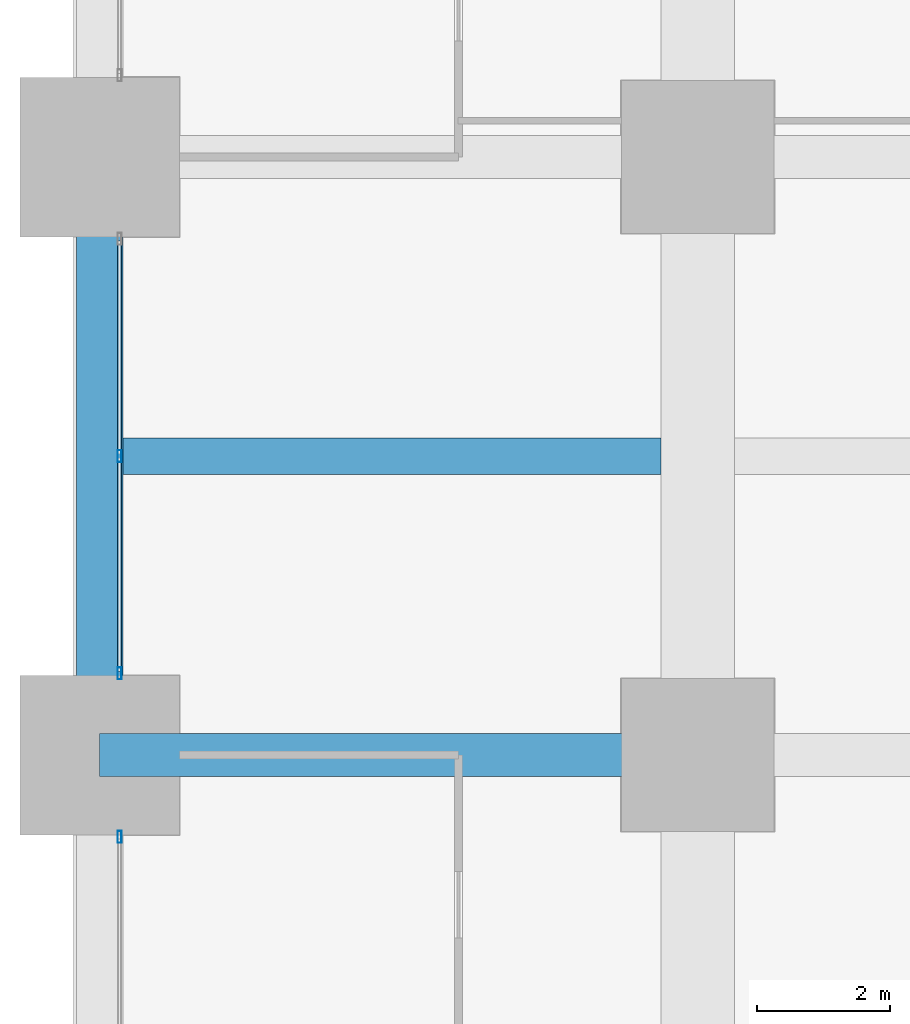
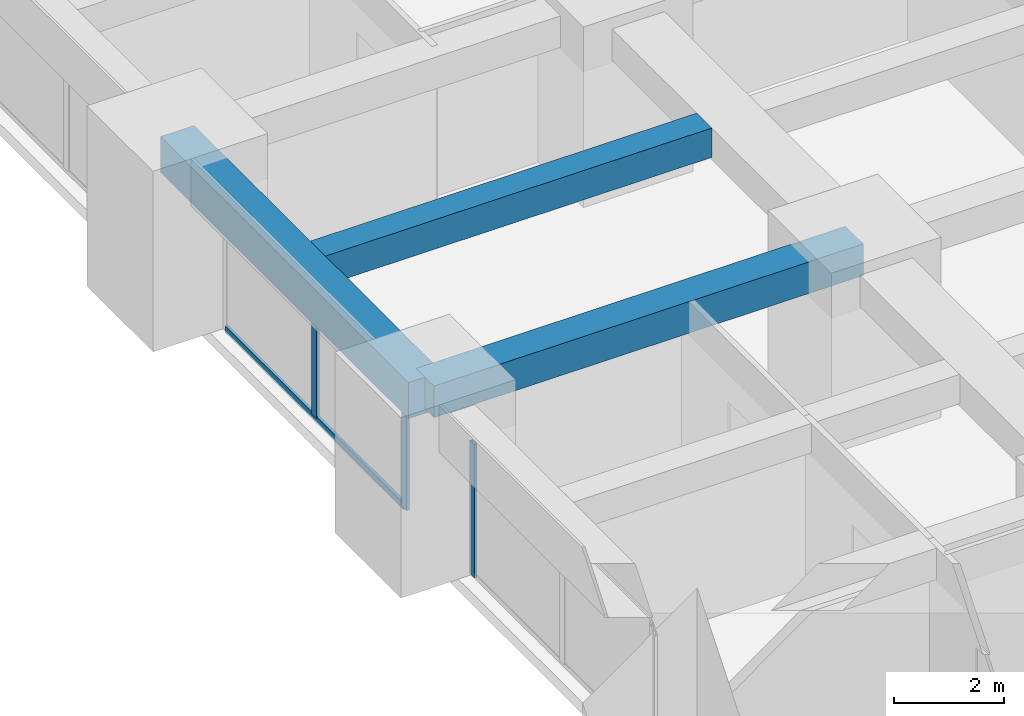
# One storey, part 11 of 44: 4 members, 3 beams, 2 elements without a shape of their own.
"""IFC4 building model written with IfcOpenShell, lengths in metres."""

from ifc_helpers import new_model, si_unit, direction, frame, origin, origin_2d, place, context, subcontext, project, spatial, rectangle, hollow_rectangle, extrude, material, material_profile, profile_set, type_object, element, aggregate, save


model = new_model("IFC4")

# Units and contexts
model_context = context("Model", 3, precision=1e-05, world=origin(), true_north=direction((0.0, 1.0)))
body_context = subcontext(model_context, "Body", "Model", "MODEL_VIEW")
ifc_project = project(units=[si_unit("LENGTHUNIT", "METRE"), si_unit("AREAUNIT", "SQUARE_METRE"), si_unit("VOLUMEUNIT", "CUBIC_METRE"), si_unit("PLANEANGLEUNIT", "RADIAN"), si_unit("MASSUNIT", "GRAM", prefix="KILO")], contexts=[model_context])

# Site, building, storey
site_placement = place(None, origin())
site = spatial("IfcSite", under=ifc_project, at=site_placement, CompositionType="ELEMENT")
building_placement = place(site_placement, origin())
building = spatial("IfcBuilding", under=site, at=building_placement, Name="Zorevar Civic Tower", CompositionType="ELEMENT")
storey_placement = place(building_placement, frame((0.0, 0.0, 35.800048828125)))
storey = spatial("IfcBuildingStorey", under=building, at=storey_placement, Name="L08", CompositionType="ELEMENT", Elevation=35.800048828125)

# Beams
ifc_material_1 = material(Name="Concrete C50/60", Category="concrete")
ifc_material_profile_1 = material_profile(ifc_material_1, rectangle(XDim=0.550048828125, YDim=0.64990234375, at=origin_2d()), Name="RC 550x650")
ifc_profile_set_1 = profile_set([ifc_material_profile_1], Name="Concrete C50/60")
beam_type_1 = type_object("IfcBeamType", Name="Beam RC 550x650", PredefinedType="BEAM", material=ifc_profile_set_1)
beam_1_placement = place(storey_placement, frame((0.35009765625, 31.5, 3.425048828125), z_axis=(1.0, 0.0, 0.0), x_axis=(0.0, 1.0, 0.0)))
element("IfcBeam", 1, at=beam_1_placement, inside=storey, type_object=beam_type_1, Name="Secondary beam L09", PredefinedType="BEAM", context=body_context, shape_type="SweptSolid", body=[
    extrude(rectangle(XDim=0.550048828125, YDim=0.64990234375, at=origin_2d()), origin(), (0.0, 0.0, 1.0), 8.099853515625),
])
ifc_material_2 = material(Name="Concrete C50/60", Category="concrete")
ifc_material_profile_2 = material_profile(ifc_material_2, rectangle(XDim=0.64990234375, YDim=0.699951171875, at=origin_2d()), Name="RC 650x700")
ifc_profile_set_2 = profile_set([ifc_material_profile_2], Name="Concrete C50/60")
beam_type_2 = type_object("IfcBeamType", Name="Beam RC 650x700", PredefinedType="BEAM", material=ifc_profile_set_2)
beam_2_placement = place(storey_placement, frame((0.0, 27.0, 3.39990234375), z_axis=(1.0, 0.0, 0.0), x_axis=(0.0, 1.0, 0.0)))
element("IfcBeam", 2, at=beam_2_placement, inside=storey, type_object=beam_type_2, Name="Girder L09", PredefinedType="BEAM", context=body_context, shape_type="SweptSolid", body=[
    extrude(rectangle(XDim=0.64990234375, YDim=0.699951171875, at=origin_2d()), origin(), (0.0, 0.0, 1.0), 9.0),
])

# Curtain wall, member
ifc_material_3 = material(Name="Dark grey solar-control glass in black aluminium frame", Category="aluminium")
curtain_wall_type = type_object("IfcCurtainWallType", Name="Curtain wall CW2 low zone", PredefinedType="NOTDEFINED", material=ifc_material_3)
curtain_wall_1_placement = place(storey_placement, origin())
curtain_wall_1 = element("IfcCurtainWall", 3, at=curtain_wall_1_placement, inside=storey, type_object=curtain_wall_type, Name="CW2 L08", PredefinedType="NOTDEFINED")
ifc_material_4 = material(Name="Aluminium, black anodised", Category="aluminium")
ifc_material_profile_3 = material_profile(ifc_material_4, hollow_rectangle(XDim=0.06005859375, YDim=0.179931640625, WallThickness=0.00390625, at=origin_2d()), Name="AL 180x60x4")
ifc_profile_set_3 = profile_set([ifc_material_profile_3], Name="Aluminium, black anodised")
member_type_1 = type_object("IfcMemberType", Name="CW2 mullion AL 180x60x4", PredefinedType="MULLION", material=ifc_profile_set_3)
member_1_placement = place(storey_placement, frame((0.300048828125, 25.77001953125, 0.0), z_axis=(0.0, 0.0, 1.0), x_axis=(-1.0, 0.0, 0.0)))
member_1 = element("IfcMember", 4, at=member_1_placement, type_object=member_type_1, Name="CW2 mullion 3", PredefinedType="MULLION", context=body_context, shape_type="SweptSolid", body=[
    extrude(hollow_rectangle(XDim=0.06005859375, YDim=0.179931640625, WallThickness=0.00390625, at=origin_2d()), origin(), (0.0, 0.0, 1.0), 2.949951171875),
])
aggregate(curtain_wall_1, [member_1])

# Curtain wall, members
curtain_wall_2_placement = place(storey_placement, origin())
curtain_wall_2 = element("IfcCurtainWall", 5, at=curtain_wall_2_placement, inside=storey, type_object=curtain_wall_type, Name="CW2 L08", PredefinedType="NOTDEFINED")
member_2_placement = place(storey_placement, frame((0.300048828125, 28.22998046875, 0.0), z_axis=(0.0, 0.0, 1.0), x_axis=(-1.0, 0.0, 0.0)))
member_2 = element("IfcMember", 6, at=member_2_placement, type_object=member_type_1, Name="CW2 mullion 1", PredefinedType="MULLION", context=body_context, shape_type="SweptSolid", body=[
    extrude(hollow_rectangle(XDim=0.06005859375, YDim=0.179931640625, WallThickness=0.00390625, at=origin_2d()), origin(), (0.0, 0.0, 1.0), 2.949951171875),
])
member_3_placement = place(storey_placement, frame((0.300048828125, 31.5, 0.06005859375), z_axis=(0.0, 0.0, 1.0), x_axis=(-1.0, 0.0, 0.0)))
member_3 = element("IfcMember", 7, at=member_3_placement, type_object=member_type_1, Name="CW2 mullion 2", PredefinedType="MULLION", context=body_context, shape_type="SweptSolid", body=[
    extrude(hollow_rectangle(XDim=0.06005859375, YDim=0.179931640625, WallThickness=0.00390625, at=origin_2d()), origin(), (0.0, 0.0, 1.0), 2.889892578125),
])
ifc_material_5 = material(Name="Aluminium, black anodised", Category="aluminium")
ifc_material_profile_4 = material_profile(ifc_material_5, hollow_rectangle(XDim=0.06005859375, YDim=0.14990234375, WallThickness=0.00390625, at=origin_2d()), Name="AL 150x60x4")
ifc_profile_set_4 = profile_set([ifc_material_profile_4], Name="Aluminium, black anodised")
member_type_2 = type_object("IfcMemberType", Name="CW2 transom AL 150x60x4", PredefinedType="USERDEFINED", material=ifc_profile_set_4)
member_4_placement = place(storey_placement, frame((0.300048828125, 28.260009765625, 0.030029296875), z_axis=(0.0, 1.0, 0.0), x_axis=(-1.0, 0.0, 0.0)))
member_4 = element("IfcMember", 8, at=member_4_placement, type_object=member_type_2, Name="CW2 sill transom", ObjectType="TRANSOM", PredefinedType="USERDEFINED", context=body_context, shape_type="SweptSolid", body=[
    extrude(hollow_rectangle(XDim=0.06005859375, YDim=0.14990234375, WallThickness=0.00390625, at=origin_2d()), origin(), (0.0, 0.0, 1.0), 6.47998046875),
])
aggregate(curtain_wall_2, [member_2, member_3, member_4])

# Beam
ifc_material_6 = material(Name="Concrete C50/60", Category="concrete")
ifc_material_profile_5 = material_profile(ifc_material_6, rectangle(XDim=0.699951171875, YDim=0.800048828125, at=origin_2d()), Name="RC 700x800")
ifc_profile_set_5 = profile_set([ifc_material_profile_5], Name="Concrete C50/60")
beam_type_3 = type_object("IfcBeamType", Name="Edge beam RC 700x800", PredefinedType="SPANDREL", material=ifc_profile_set_5)
beam_3_placement = place(storey_placement, frame((0.0, 27.0, 3.349853515625), z_axis=(0.0, 1.0, 0.0), x_axis=(-1.0, 0.0, 0.0)))
element("IfcBeam", 9, at=beam_3_placement, inside=storey, type_object=beam_type_3, Name="Edge beam L09", PredefinedType="SPANDREL", context=body_context, shape_type="SweptSolid", body=[
    extrude(rectangle(XDim=0.699951171875, YDim=0.800048828125, at=origin_2d()), origin(), (0.0, 0.0, 1.0), 9.0),
])

save(model, "model.ifc")
